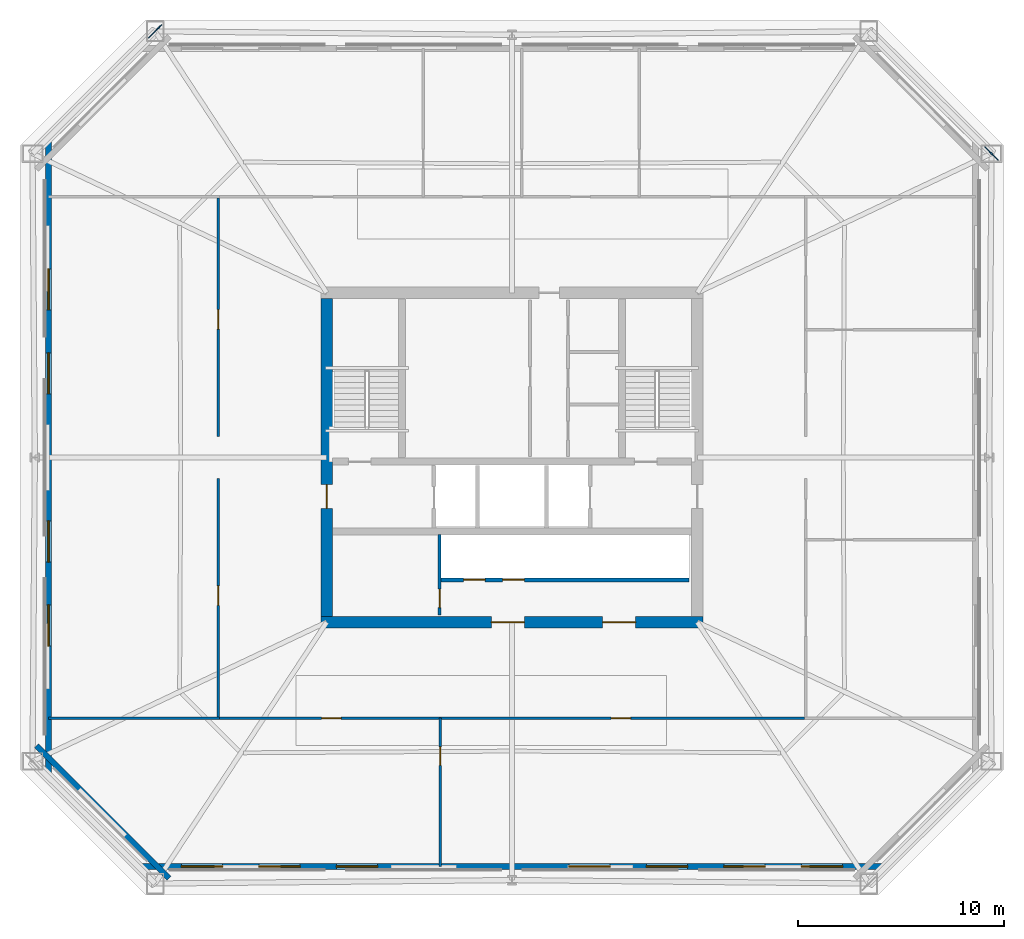
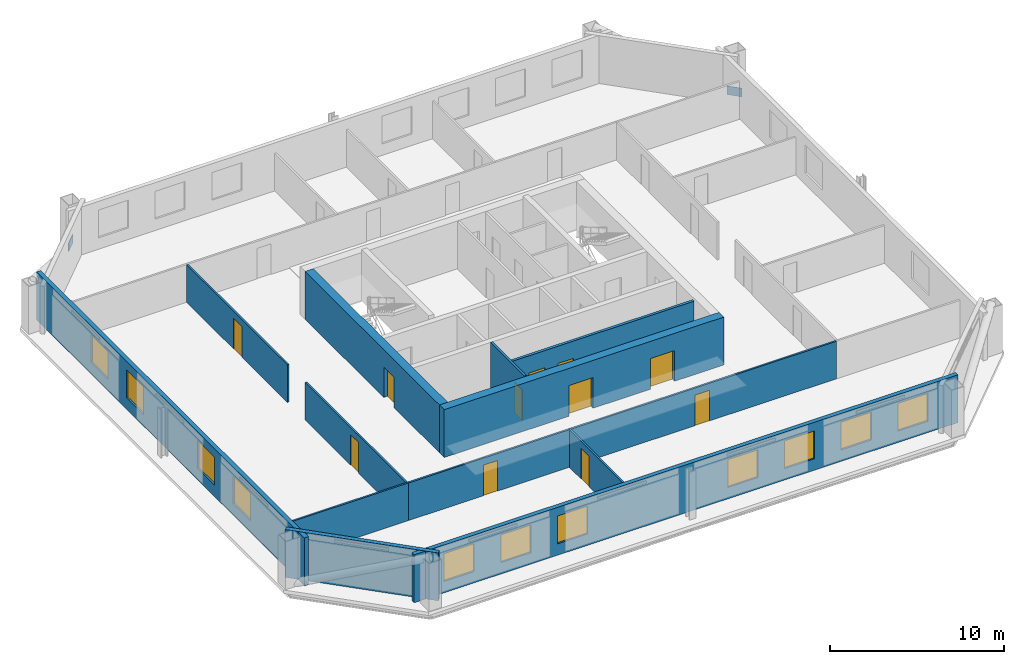
# One storey, part 2 of 6: 12 walls, 11 doors, 11 windows, 2 plates, 22 openings.
"""IFC4 building model written with IfcOpenShell, lengths in metres."""

from ifc_helpers import new_model, si_unit, direction, frame, frame_2d, origin, origin_2d, place, context, subcontext, project, spatial, rectangle, extrude, material, layer, layer_set, type_object, element, fill, save


model = new_model("IFC4")

# Units and contexts
model_context = context("Model", 3, precision=1e-05, world=origin(), true_north=direction((0.0, 1.0)))
body_context = subcontext(model_context, "Body", "Model", "MODEL_VIEW")
ifc_project = project(units=[si_unit("LENGTHUNIT", "METRE"), si_unit("AREAUNIT", "SQUARE_METRE"), si_unit("VOLUMEUNIT", "CUBIC_METRE"), si_unit("PLANEANGLEUNIT", "RADIAN"), si_unit("MASSUNIT", "GRAM", prefix="KILO")], contexts=[model_context])

# Site, building, storey
site_placement = place(None, origin())
site = spatial("IfcSite", under=ifc_project, at=site_placement, CompositionType="ELEMENT")
building_placement = place(site_placement, origin())
building = spatial("IfcBuilding", under=site, at=building_placement, Name="Caelvoria Tower", CompositionType="ELEMENT")
storey_placement = place(building_placement, frame((0.0, 0.0, 131.199951171875)))
storey = spatial("IfcBuildingStorey", under=building, at=storey_placement, Name="L34", CompositionType="ELEMENT", Elevation=131.199951171875)

# Plates
ifc_material_1 = material(Name="Structural Steel ASTM A572 Gr.50", Category="steel")
ifc_layer_1 = layer(ifc_material_1, 0.0400390625, Name="Structural Steel ASTM A572 Gr.50")
ifc_layer_set_1 = layer_set([ifc_layer_1], Name="Megaframe Node Gusset Plate 900x600x40 - Structural Steel ASTM A572 Gr.50")
plate_type = type_object("IfcPlateType", Name="Megaframe Node Gusset Plate 900x600x40", PredefinedType="USERDEFINED", material=ifc_layer_set_1)
for number, where, z_axis, x_axis, name in (
    (1, (69.2919921875, 46.764404296875, 0.02001953125), (0.0, 0.0, 1.0), (-0.708331213824, 0.70588022463, 0.0), "Chamfer Mega Brace Gusset L34 NE"),
    (2, (28.662353515625, 52.697998046875, 0.02001953125), (0.0, 0.0, 1.0), (-0.708331213824, -0.70588022463, 0.0), "Chamfer Mega Brace Gusset L34 NW"),
):
    element("IfcPlate", number, at=place(storey_placement, frame(where, z_axis=z_axis, x_axis=x_axis)), inside=storey, type_object=plate_type, Name=name, ObjectType="GUSSET_PLATE", PredefinedType="USERDEFINED", context=body_context, shape_type="SweptSolid", body=[
        extrude(rectangle(XDim=0.89990234375, YDim=0.0400390625, at=origin_2d()), origin(), (0.0, 0.0, 1.0), 0.60009765625),
    ])

# Wall, opening, door
ifc_material_2 = material(Name="Double Gypsum Board on Steel Stud", Category="steel")
ifc_layer_2 = layer(ifc_material_2, 0.14990234375, Name="Double Gypsum Board on Steel Stud")
ifc_layer_set_2 = layer_set([ifc_layer_2], Name="Core Service Acoustic Partition Wall 150 - Double Gypsum Board on Steel Stud")
wall_type_1 = type_object("IfcWallType", Name="Core Service Acoustic Partition Wall 150", PredefinedType="PARTITIONING", material=ifc_layer_set_2)
wall_1_placement = place(storey_placement, frame((42.47998046875, 24.35009765625, 0.0), z_axis=(0.0, 0.0, 1.0), x_axis=(0.0, 1.0, 0.0)))
wall_1 = element("IfcWall", 3, at=wall_1_placement, inside=storey, type_object=wall_type_1, Name="Interior Partition IW-L34-RECL1E", PredefinedType="PARTITIONING", context=body_context, shape_type="SweptSolid", body=[
    extrude(rectangle(XDim=3.89990234375, YDim=0.14990234375, at=frame_2d((1.949951171875, 0.0))), origin(), (0.0, 0.0, 1.0), 3.360107421875),
])
opening_1_placement = place(wall_1_placement, frame((0.35009765625, 0.0, 0.0)))
opening_1 = element("IfcOpeningElement", 4, at=opening_1_placement, cuts=wall_1, Name="Opening ID-04", PredefinedType="OPENING", context=body_context, shape_type="SweptSolid", body=[
    extrude(rectangle(XDim=0.89990234375, YDim=2.14990234375, at=frame_2d((0.449951171875, 1.074951171875))), frame((0.0, 0.0849609375, 0.0), z_axis=(0.0, -1.0, 0.0), x_axis=(1.0, 0.0, 0.0)), (0.0, 0.0, 1.0), 0.169921875),
])
ifc_material_3 = material(Name="Acoustic Timber Fire Door", Category="wood")
door_type_1 = type_object("IfcDoorType", Name="Fire Door FD30S 900x2150", OperationType="NOTDEFINED", PredefinedType="DOOR", material=ifc_material_3)
door_1_placement = place(opening_1_placement, origin())
door_1 = element("IfcDoor", 5, at=door_1_placement, inside=storey, type_object=door_type_1, Name="Interior Door DR-L34-RECL1", OperationType="SINGLE_SWING_LEFT", OverallHeight=2.14990234375, OverallWidth=0.89990234375, PredefinedType="DOOR", context=body_context, shape_type="SweptSolid", body=[
    extrude(rectangle(XDim=0.89990234375, YDim=2.14990234375, at=frame_2d((0.449951171875, 1.074951171875))), frame((0.0, 0.02490234375, 0.0), z_axis=(0.0, -1.0, 0.0), x_axis=(1.0, 0.0, 0.0)), (0.0, 0.0, 1.0), 0.050048828125),
])
fill(opening_1, door_1)

# Wall, openings, windows
ifc_material_4 = material(Name="Precast Concrete C40/50 with Bronze Cladding", Category="concrete")
ifc_layer_3 = layer(ifc_material_4, 0.280029296875, Name="Precast Concrete C40/50 with Bronze Cladding")
ifc_layer_set_3 = layer_set([ifc_layer_3], Name="Exterior Precast Concrete C40/50 Bronze-Clad Facade Wall 280 - Precast Concrete C40/50 with Bronze Cladding")
wall_type_2 = type_object("IfcWallType", Name="Exterior Precast Concrete C40/50 Bronze-Clad Facade Wall 280", PredefinedType="STANDARD", material=ifc_layer_set_3)
wall_2_placement = place(storey_placement, frame((27.9599609375, 12.1298828125, 0.0), z_axis=(0.0, 0.0, 1.0), x_axis=(1.0, 0.0, 0.0)))
wall_2 = element("IfcWall", 6, at=wall_2_placement, inside=storey, type_object=wall_type_2, Name="Exterior Facade Wall L34-E0", PredefinedType="STANDARD", context=body_context, shape_type="SweptSolid", body=[
    extrude(rectangle(XDim=36.080078125, YDim=0.280029296875, at=frame_2d((18.0400390625, 0.0))), origin(), (0.0, 0.0, 1.0), 3.360107421875),
])
opening_2_placement = place(wall_2_placement, frame((1.982177734375, 0.0, 0.800048828125)))
opening_2 = element("IfcOpeningElement", 7, at=opening_2_placement, cuts=wall_2, Name="Opening WN-01", PredefinedType="OPENING", context=body_context, shape_type="SweptSolid", body=[
    extrude(rectangle(XDim=2.0, YDim=1.949951171875, at=frame_2d((1.0, 0.97509765625))), frame((0.0, 0.14990234375, 0.0), z_axis=(0.0, -1.0, 0.0), x_axis=(1.0, 0.0, 0.0)), (0.0, 0.0, 1.0), 0.300048828125),
])
opening_3_placement = place(wall_2_placement, frame((5.74658203125, 0.0, 0.800048828125)))
opening_3 = element("IfcOpeningElement", 8, at=opening_3_placement, cuts=wall_2, Name="Opening WN-01", PredefinedType="OPENING", context=body_context, shape_type="SweptSolid", body=[
    extrude(rectangle(XDim=2.0, YDim=1.949951171875, at=frame_2d((1.0, 0.97509765625))), frame((0.0, 0.14990234375, 0.0), z_axis=(0.0, -1.0, 0.0), x_axis=(1.0, 0.0, 0.0)), (0.0, 0.0, 1.0), 0.300048828125),
])
opening_4_placement = place(wall_2_placement, frame((9.510986328125, 0.0, 0.800048828125)))
opening_4 = element("IfcOpeningElement", 9, at=opening_4_placement, cuts=wall_2, Name="Opening WN-01", PredefinedType="OPENING", context=body_context, shape_type="SweptSolid", body=[
    extrude(rectangle(XDim=2.0, YDim=1.949951171875, at=frame_2d((1.0, 0.97509765625))), frame((0.0, 0.14990234375, 0.0), z_axis=(0.0, -1.0, 0.0), x_axis=(1.0, 0.0, 0.0)), (0.0, 0.0, 1.0), 0.300048828125),
])
opening_5_placement = place(wall_2_placement, frame((20.804443359375, 0.0, 0.800048828125)))
opening_5 = element("IfcOpeningElement", 10, at=opening_5_placement, cuts=wall_2, Name="Opening WN-01", PredefinedType="OPENING", context=body_context, shape_type="SweptSolid", body=[
    extrude(rectangle(XDim=2.0, YDim=1.949951171875, at=frame_2d((1.0, 0.97509765625))), frame((0.0, 0.14990234375, 0.0), z_axis=(0.0, -1.0, 0.0), x_axis=(1.0, 0.0, 0.0)), (0.0, 0.0, 1.0), 0.300048828125),
])
opening_6_placement = place(wall_2_placement, frame((24.56884765625, 0.0, 0.800048828125)))
opening_6 = element("IfcOpeningElement", 11, at=opening_6_placement, cuts=wall_2, Name="Opening WN-01", PredefinedType="OPENING", context=body_context, shape_type="SweptSolid", body=[
    extrude(rectangle(XDim=2.0, YDim=1.949951171875, at=frame_2d((1.0, 0.97509765625))), frame((0.0, 0.14990234375, 0.0), z_axis=(0.0, -1.0, 0.0), x_axis=(1.0, 0.0, 0.0)), (0.0, 0.0, 1.0), 0.300048828125),
])
opening_7_placement = place(wall_2_placement, frame((28.333251953125, 0.0, 0.800048828125)))
opening_7 = element("IfcOpeningElement", 12, at=opening_7_placement, cuts=wall_2, Name="Opening WN-01", PredefinedType="OPENING", context=body_context, shape_type="SweptSolid", body=[
    extrude(rectangle(XDim=2.0, YDim=1.949951171875, at=frame_2d((1.0, 0.97509765625))), frame((0.0, 0.14990234375, 0.0), z_axis=(0.0, -1.0, 0.0), x_axis=(1.0, 0.0, 0.0)), (0.0, 0.0, 1.0), 0.300048828125),
])
opening_8_placement = place(wall_2_placement, frame((32.097900390625, 0.0, 0.800048828125)))
opening_8 = element("IfcOpeningElement", 13, at=opening_8_placement, cuts=wall_2, Name="Opening WN-01", PredefinedType="OPENING", context=body_context, shape_type="SweptSolid", body=[
    extrude(rectangle(XDim=2.0, YDim=1.949951171875, at=frame_2d((1.0, 0.97509765625))), frame((0.0, 0.14990234375, 0.0), z_axis=(0.0, -1.0, 0.0), x_axis=(1.0, 0.0, 0.0)), (0.0, 0.0, 1.0), 0.300048828125),
])
ifc_material_5 = material(Name="Low-E Tinted Glass in Bronze Aluminium Frame", Category="aluminium")
window_type = type_object("IfcWindowType", Name="Tower Office Vision Window 2000x1950", PartitioningType="SINGLE_PANEL", PredefinedType="WINDOW", material=ifc_material_5)
window_1_placement = place(opening_2_placement, origin())
window_1 = element("IfcWindow", 14, at=window_1_placement, inside=storey, type_object=window_type, Name="Facade Window L34-E0-00", OverallHeight=1.949951171875, OverallWidth=2.0, PartitioningType="SINGLE_PANEL", PredefinedType="WINDOW", context=body_context, shape_type="SweptSolid", body=[
    extrude(rectangle(XDim=2.0, YDim=1.949951171875, at=frame_2d((1.0, 0.97509765625))), frame((0.0, 0.030029296875, 0.0), z_axis=(0.0, -1.0, 0.0), x_axis=(1.0, 0.0, 0.0)), (0.0, 0.0, 1.0), 0.06005859375),
])
fill(opening_2, window_1)
window_2_placement = place(opening_3_placement, origin())
window_2 = element("IfcWindow", 15, at=window_2_placement, inside=storey, type_object=window_type, Name="Facade Window L34-E0-01", OverallHeight=1.949951171875, OverallWidth=2.0, PartitioningType="SINGLE_PANEL", PredefinedType="WINDOW", context=body_context, shape_type="SweptSolid", body=[
    extrude(rectangle(XDim=2.0, YDim=1.949951171875, at=frame_2d((1.0, 0.97509765625))), frame((0.0, 0.030029296875, 0.0), z_axis=(0.0, -1.0, 0.0), x_axis=(1.0, 0.0, 0.0)), (0.0, 0.0, 1.0), 0.06005859375),
])
fill(opening_3, window_2)
window_3_placement = place(opening_4_placement, origin())
window_3 = element("IfcWindow", 16, at=window_3_placement, inside=storey, type_object=window_type, Name="Facade Window L34-E0-02", OverallHeight=1.949951171875, OverallWidth=2.0, PartitioningType="SINGLE_PANEL", PredefinedType="WINDOW", context=body_context, shape_type="SweptSolid", body=[
    extrude(rectangle(XDim=2.0, YDim=1.949951171875, at=frame_2d((1.0, 0.97509765625))), frame((0.0, 0.030029296875, 0.0), z_axis=(0.0, -1.0, 0.0), x_axis=(1.0, 0.0, 0.0)), (0.0, 0.0, 1.0), 0.06005859375),
])
fill(opening_4, window_3)
window_4_placement = place(opening_5_placement, origin())
window_4 = element("IfcWindow", 17, at=window_4_placement, inside=storey, type_object=window_type, Name="Facade Window L34-E0-05", OverallHeight=1.949951171875, OverallWidth=2.0, PartitioningType="SINGLE_PANEL", PredefinedType="WINDOW", context=body_context, shape_type="SweptSolid", body=[
    extrude(rectangle(XDim=2.0, YDim=1.949951171875, at=frame_2d((1.0, 0.97509765625))), frame((0.0, 0.030029296875, 0.0), z_axis=(0.0, -1.0, 0.0), x_axis=(1.0, 0.0, 0.0)), (0.0, 0.0, 1.0), 0.06005859375),
])
fill(opening_5, window_4)
window_5_placement = place(opening_6_placement, origin())
window_5 = element("IfcWindow", 18, at=window_5_placement, inside=storey, type_object=window_type, Name="Facade Window L34-E0-06", OverallHeight=1.949951171875, OverallWidth=2.0, PartitioningType="SINGLE_PANEL", PredefinedType="WINDOW", context=body_context, shape_type="SweptSolid", body=[
    extrude(rectangle(XDim=2.0, YDim=1.949951171875, at=frame_2d((1.0, 0.97509765625))), frame((0.0, 0.030029296875, 0.0), z_axis=(0.0, -1.0, 0.0), x_axis=(1.0, 0.0, 0.0)), (0.0, 0.0, 1.0), 0.06005859375),
])
fill(opening_6, window_5)
window_6_placement = place(opening_7_placement, origin())
window_6 = element("IfcWindow", 19, at=window_6_placement, inside=storey, type_object=window_type, Name="Facade Window L34-E0-07", OverallHeight=1.949951171875, OverallWidth=2.0, PartitioningType="SINGLE_PANEL", PredefinedType="WINDOW", context=body_context, shape_type="SweptSolid", body=[
    extrude(rectangle(XDim=2.0, YDim=1.949951171875, at=frame_2d((1.0, 0.97509765625))), frame((0.0, 0.030029296875, 0.0), z_axis=(0.0, -1.0, 0.0), x_axis=(1.0, 0.0, 0.0)), (0.0, 0.0, 1.0), 0.06005859375),
])
fill(opening_7, window_6)
window_7_placement = place(opening_8_placement, origin())
window_7 = element("IfcWindow", 20, at=window_7_placement, inside=storey, type_object=window_type, Name="Facade Window L34-E0-08", OverallHeight=1.949951171875, OverallWidth=2.0, PartitioningType="SINGLE_PANEL", PredefinedType="WINDOW", context=body_context, shape_type="SweptSolid", body=[
    extrude(rectangle(XDim=2.0, YDim=1.949951171875, at=frame_2d((1.0, 0.97509765625))), frame((0.0, 0.030029296875, 0.0), z_axis=(0.0, -1.0, 0.0), x_axis=(1.0, 0.0, 0.0)), (0.0, 0.0, 1.0), 0.06005859375),
])
fill(opening_8, window_7)

wall_3_placement = place(storey_placement, frame((23.47998046875, 47.389892578125, 0.0), z_axis=(0.0, 0.0, 1.0), x_axis=(0.0, -1.0, 0.0)))
wall_3 = element("IfcWall", 21, at=wall_3_placement, inside=storey, type_object=wall_type_2, Name="Exterior Facade Wall L34-E6", PredefinedType="STANDARD", context=body_context, shape_type="SweptSolid", body=[
    extrude(rectangle(XDim=30.77978515625, YDim=0.280029296875, at=frame_2d((15.389892578125, 0.0))), origin(), (0.0, 0.0, 1.0), 3.360107421875),
])
opening_9_placement = place(wall_3_placement, frame((6.224365234375, 0.0, 0.800048828125)))
opening_9 = element("IfcOpeningElement", 22, at=opening_9_placement, cuts=wall_3, Name="Opening WN-01", PredefinedType="OPENING", context=body_context, shape_type="SweptSolid", body=[
    extrude(rectangle(XDim=2.0, YDim=1.949951171875, at=frame_2d((1.0, 0.97509765625))), frame((0.0, 0.14990234375, 0.0), z_axis=(0.0, -1.0, 0.0), x_axis=(1.0, 0.0, 0.0)), (0.0, 0.0, 1.0), 0.300048828125),
])
opening_10_placement = place(wall_3_placement, frame((10.30712890625, 0.0, 0.800048828125)))
opening_10 = element("IfcOpeningElement", 23, at=opening_10_placement, cuts=wall_3, Name="Opening WN-01", PredefinedType="OPENING", context=body_context, shape_type="SweptSolid", body=[
    extrude(rectangle(XDim=2.0, YDim=1.949951171875, at=frame_2d((1.0, 0.97509765625))), frame((0.0, 0.14990234375, 0.0), z_axis=(0.0, -1.0, 0.0), x_axis=(1.0, 0.0, 0.0)), (0.0, 0.0, 1.0), 0.300048828125),
])
opening_11_placement = place(wall_3_placement, frame((18.472900390625, 0.0, 0.800048828125)))
opening_11 = element("IfcOpeningElement", 24, at=opening_11_placement, cuts=wall_3, Name="Opening WN-01", PredefinedType="OPENING", context=body_context, shape_type="SweptSolid", body=[
    extrude(rectangle(XDim=2.0, YDim=1.949951171875, at=frame_2d((1.0, 0.97509765625))), frame((0.0, 0.14990234375, 0.0), z_axis=(0.0, -1.0, 0.0), x_axis=(1.0, 0.0, 0.0)), (0.0, 0.0, 1.0), 0.300048828125),
])
opening_12_placement = place(wall_3_placement, frame((22.5556640625, 0.0, 0.800048828125)))
opening_12 = element("IfcOpeningElement", 25, at=opening_12_placement, cuts=wall_3, Name="Opening WN-01", PredefinedType="OPENING", context=body_context, shape_type="SweptSolid", body=[
    extrude(rectangle(XDim=2.0, YDim=1.949951171875, at=frame_2d((1.0, 0.97509765625))), frame((0.0, 0.14990234375, 0.0), z_axis=(0.0, -1.0, 0.0), x_axis=(1.0, 0.0, 0.0)), (0.0, 0.0, 1.0), 0.300048828125),
])
window_8_placement = place(opening_9_placement, origin())
window_8 = element("IfcWindow", 26, at=window_8_placement, inside=storey, type_object=window_type, Name="Facade Window L34-E6-01", OverallHeight=1.949951171875, OverallWidth=2.0, PartitioningType="SINGLE_PANEL", PredefinedType="WINDOW", context=body_context, shape_type="SweptSolid", body=[
    extrude(rectangle(XDim=2.0, YDim=1.949951171875, at=frame_2d((1.0, 0.97509765625))), frame((0.0, 0.030029296875, 0.0), z_axis=(0.0, -1.0, 0.0), x_axis=(1.0, 0.0, 0.0)), (0.0, 0.0, 1.0), 0.06005859375),
])
fill(opening_9, window_8)
window_9_placement = place(opening_10_placement, origin())
window_9 = element("IfcWindow", 27, at=window_9_placement, inside=storey, type_object=window_type, Name="Facade Window L34-E6-02", OverallHeight=1.949951171875, OverallWidth=2.0, PartitioningType="SINGLE_PANEL", PredefinedType="WINDOW", context=body_context, shape_type="SweptSolid", body=[
    extrude(rectangle(XDim=2.0, YDim=1.949951171875, at=frame_2d((1.0, 0.97509765625))), frame((0.0, 0.030029296875, 0.0), z_axis=(0.0, -1.0, 0.0), x_axis=(1.0, 0.0, 0.0)), (0.0, 0.0, 1.0), 0.06005859375),
])
fill(opening_10, window_9)
window_10_placement = place(opening_11_placement, origin())
window_10 = element("IfcWindow", 28, at=window_10_placement, inside=storey, type_object=window_type, Name="Facade Window L34-E6-04", OverallHeight=1.949951171875, OverallWidth=2.0, PartitioningType="SINGLE_PANEL", PredefinedType="WINDOW", context=body_context, shape_type="SweptSolid", body=[
    extrude(rectangle(XDim=2.0, YDim=1.949951171875, at=frame_2d((1.0, 0.97509765625))), frame((0.0, 0.030029296875, 0.0), z_axis=(0.0, -1.0, 0.0), x_axis=(1.0, 0.0, 0.0)), (0.0, 0.0, 1.0), 0.06005859375),
])
fill(opening_11, window_10)
window_11_placement = place(opening_12_placement, origin())
window_11 = element("IfcWindow", 29, at=window_11_placement, inside=storey, type_object=window_type, Name="Facade Window L34-E6-05", OverallHeight=1.949951171875, OverallWidth=2.0, PartitioningType="SINGLE_PANEL", PredefinedType="WINDOW", context=body_context, shape_type="SweptSolid", body=[
    extrude(rectangle(XDim=2.0, YDim=1.949951171875, at=frame_2d((1.0, 0.97509765625))), frame((0.0, 0.030029296875, 0.0), z_axis=(0.0, -1.0, 0.0), x_axis=(1.0, 0.0, 0.0)), (0.0, 0.0, 1.0), 0.06005859375),
])
fill(opening_12, window_11)

# Wall
wall_4_placement = place(storey_placement, frame((22.906005859375, 17.99560546875, 0.0), z_axis=(0.0, 0.0, 1.0), x_axis=(0.707106781187, -0.707106781187, 0.0)))
element("IfcWall", 30, at=wall_4_placement, inside=storey, type_object=wall_type_2, Name="Exterior Facade Wall L34-E7", PredefinedType="STANDARD", context=body_context, shape_type="SweptSolid", body=[
    extrude(rectangle(XDim=9.106689453125, YDim=0.280029296875, at=frame_2d((4.55322265625, 0.0))), origin(), (0.0, 0.0, 1.0), 3.360107421875),
])

# Wall, openings, doors
ifc_material_6 = material(Name="Concrete Block and Fireboard Assembly", Category="concrete")
ifc_layer_4 = layer(ifc_material_6, 0.179931640625, Name="Concrete Block and Fireboard Assembly")
ifc_layer_set_4 = layer_set([ifc_layer_4], Name="Fire-Rated Hoistway Partition Wall 180 - Concrete Block and Fireboard Assembly")
wall_type_3 = type_object("IfcWallType", Name="Fire-Rated Hoistway Partition Wall 180", PredefinedType="PARTITIONING", material=ifc_layer_set_4)
wall_5_placement = place(storey_placement, frame((42.550048828125, 26.050048828125, 0.0), z_axis=(0.0, 0.0, 1.0), x_axis=(1.0, 0.0, 0.0)))
wall_5 = element("IfcWall", 31, at=wall_5_placement, inside=storey, type_object=wall_type_3, Name="Interior Partition IW-L34-LFRONT", PredefinedType="PARTITIONING", context=body_context, shape_type="SweptSolid", body=[
    extrude(rectangle(XDim=12.050048828125, YDim=0.179931640625, at=frame_2d((6.02490234375, 0.0))), origin(), (0.0, 0.0, 1.0), 3.360107421875),
])
opening_13_placement = place(wall_5_placement, frame((1.10009765625, 0.0, 0.0)))
opening_13 = element("IfcOpeningElement", 32, at=opening_13_placement, cuts=wall_5, Name="Opening LD-01", PredefinedType="OPENING", context=body_context, shape_type="SweptSolid", body=[
    extrude(rectangle(XDim=1.050048828125, YDim=2.14990234375, at=frame_2d((0.52490234375, 1.074951171875))), frame((0.0, 0.099853515625, 0.0), z_axis=(0.0, -1.0, 0.0), x_axis=(1.0, 0.0, 0.0)), (0.0, 0.0, 1.0), 0.199951171875),
])
opening_14_placement = place(wall_5_placement, frame((3.0, 0.0, 0.0)))
opening_14 = element("IfcOpeningElement", 33, at=opening_14_placement, cuts=wall_5, Name="Opening LD-01", PredefinedType="OPENING", context=body_context, shape_type="SweptSolid", body=[
    extrude(rectangle(XDim=1.050048828125, YDim=2.14990234375, at=frame_2d((0.52490234375, 1.074951171875))), frame((0.0, 0.099853515625, 0.0), z_axis=(0.0, -1.0, 0.0), x_axis=(1.0, 0.0, 0.0)), (0.0, 0.0, 1.0), 0.199951171875),
])
ifc_material_7 = material(Name="Brushed Bronze Stainless Sliding Landing Door", Category="aluminium")
door_type_2 = type_object("IfcDoorType", Name="Lift Landing Sliding Door 1100x2150", OperationType="NOTDEFINED", PredefinedType="DOOR", material=ifc_material_7)
door_2_placement = place(opening_13_placement, origin())
door_2 = element("IfcDoor", 34, at=door_2_placement, inside=storey, type_object=door_type_2, Name="Interior Door LD-L34-PM1", OperationType="SLIDING_TO_LEFT", OverallHeight=2.14990234375, OverallWidth=1.050048828125, PredefinedType="DOOR", context=body_context, shape_type="SweptSolid", body=[
    extrude(rectangle(XDim=1.050048828125, YDim=2.14990234375, at=frame_2d((0.52490234375, 1.074951171875))), frame((0.0, 0.02490234375, 0.0), z_axis=(0.0, -1.0, 0.0), x_axis=(1.0, 0.0, 0.0)), (0.0, 0.0, 1.0), 0.050048828125),
])
fill(opening_13, door_2)
door_3_placement = place(opening_14_placement, origin())
door_3 = element("IfcDoor", 35, at=door_3_placement, inside=storey, type_object=door_type_2, Name="Interior Door LD-L34-PM2", OperationType="SLIDING_TO_RIGHT", OverallHeight=2.14990234375, OverallWidth=1.050048828125, PredefinedType="DOOR", context=body_context, shape_type="SweptSolid", body=[
    extrude(rectangle(XDim=1.050048828125, YDim=2.14990234375, at=frame_2d((0.52490234375, 1.074951171875))), frame((0.0, 0.02490234375, 0.0), z_axis=(0.0, -1.0, 0.0), x_axis=(1.0, 0.0, 0.0)), (0.0, 0.0, 1.0), 0.050048828125),
])
fill(opening_14, door_3)

ifc_material_8 = material(Name="Concrete C55/67", Category="concrete")
ifc_layer_5 = layer(ifc_material_8, 0.550048828125, Name="Concrete C55/67")
ifc_layer_set_5 = layer_set([ifc_layer_5], Name="Mid Core Shear Wall 550 - Concrete C55/67")
wall_type_4 = type_object("IfcWallType", Name="Mid Core Shear Wall 550", PredefinedType="SHEAR", material=ifc_layer_set_5)
wall_6_placement = place(storey_placement, frame((36.72509765625, 24.0, 0.0), z_axis=(0.0, 0.0, 1.0), x_axis=(1.0, 0.0, 0.0)))
wall_6 = element("IfcWall", 36, at=wall_6_placement, inside=storey, type_object=wall_type_4, Name="Core Shear Wall L34 S", PredefinedType="SHEAR", context=body_context, shape_type="SweptSolid", body=[
    extrude(rectangle(XDim=18.5498046875, YDim=0.550048828125, at=frame_2d((9.27490234375, 0.0))), origin(), (0.0, 0.0, 1.0), 3.360107421875),
])
opening_15_placement = place(wall_6_placement, frame((8.27490234375, 0.0, 0.0)))
opening_15 = element("IfcOpeningElement", 37, at=opening_15_placement, cuts=wall_6, Name="Opening ID-08", PredefinedType="OPENING", context=body_context, shape_type="SweptSolid", body=[
    extrude(rectangle(XDim=1.60009765625, YDim=2.14990234375, at=frame_2d((0.800048828125, 1.074951171875))), frame((0.0, 0.284912109375, 0.0), z_axis=(0.0, -1.0, 0.0), x_axis=(1.0, 0.0, 0.0)), (0.0, 0.0, 1.0), 0.570068359375),
])
opening_16_placement = place(wall_6_placement, frame((13.675048828125, 0.0, 0.0)))
opening_16 = element("IfcOpeningElement", 38, at=opening_16_placement, cuts=wall_6, Name="Opening ID-08", PredefinedType="OPENING", context=body_context, shape_type="SweptSolid", body=[
    extrude(rectangle(XDim=1.60009765625, YDim=2.14990234375, at=frame_2d((0.800048828125, 1.074951171875))), frame((0.0, 0.284912109375, 0.0), z_axis=(0.0, -1.0, 0.0), x_axis=(1.0, 0.0, 0.0)), (0.0, 0.0, 1.0), 0.570068359375),
])
ifc_material_9 = material(Name="Bronze-Framed Fire-Rated Glazed Double Door", Category="aluminium")
door_type_3 = type_object("IfcDoorType", Name="Double Lobby Glazed Door 1600x2200", OperationType="NOTDEFINED", PredefinedType="DOOR", material=ifc_material_9)
door_4_placement = place(opening_15_placement, origin())
door_4 = element("IfcDoor", 39, at=door_4_placement, inside=storey, type_object=door_type_3, Name="Core Door DR-L34-LLOB-S1", OperationType="DOUBLE_DOOR_SINGLE_SWING", OverallHeight=2.14990234375, OverallWidth=1.60009765625, PredefinedType="DOOR", context=body_context, shape_type="SweptSolid", body=[
    extrude(rectangle(XDim=1.60009765625, YDim=2.14990234375, at=frame_2d((0.800048828125, 1.074951171875))), frame((0.0, 0.02490234375, 0.0), z_axis=(0.0, -1.0, 0.0), x_axis=(1.0, 0.0, 0.0)), (0.0, 0.0, 1.0), 0.050048828125),
])
fill(opening_15, door_4)
door_5_placement = place(opening_16_placement, origin())
door_5 = element("IfcDoor", 40, at=door_5_placement, inside=storey, type_object=door_type_3, Name="Core Door DR-L34-LLOB-S2", OperationType="DOUBLE_DOOR_SINGLE_SWING", OverallHeight=2.14990234375, OverallWidth=1.60009765625, PredefinedType="DOOR", context=body_context, shape_type="SweptSolid", body=[
    extrude(rectangle(XDim=1.60009765625, YDim=2.14990234375, at=frame_2d((0.800048828125, 1.074951171875))), frame((0.0, 0.02490234375, 0.0), z_axis=(0.0, -1.0, 0.0), x_axis=(1.0, 0.0, 0.0)), (0.0, 0.0, 1.0), 0.050048828125),
])
fill(opening_16, door_5)

# Wall, opening, door
wall_7_placement = place(storey_placement, frame((37.0, 24.27490234375, 0.0), z_axis=(0.0, 0.0, 1.0), x_axis=(0.0, 1.0, 0.0)))
wall_7 = element("IfcWall", 41, at=wall_7_placement, inside=storey, type_object=wall_type_4, Name="Core Shear Wall L34 W", PredefinedType="SHEAR", context=body_context, shape_type="SweptSolid", body=[
    extrude(rectangle(XDim=15.4501953125, YDim=0.550048828125, at=frame_2d((7.72509765625, 0.0))), origin(), (0.0, 0.0, 1.0), 3.360107421875),
])
opening_17_placement = place(wall_7_placement, frame((5.25, 0.0, 0.0)))
opening_17 = element("IfcOpeningElement", 42, at=opening_17_placement, cuts=wall_7, Name="Opening ID-02", PredefinedType="OPENING", context=body_context, shape_type="SweptSolid", body=[
    extrude(rectangle(XDim=1.14990234375, YDim=2.14990234375, at=frame_2d((0.574951171875, 1.074951171875))), frame((0.0, 0.284912109375, 0.0), z_axis=(0.0, -1.0, 0.0), x_axis=(1.0, 0.0, 0.0)), (0.0, 0.0, 1.0), 0.570068359375),
])
ifc_material_10 = material(Name="Painted Hollow Steel Fire Door", Category="steel")
door_type_4 = type_object("IfcDoorType", Name="Fire Door FD60S 1150x2150", OperationType="NOTDEFINED", PredefinedType="DOOR", material=ifc_material_10)
door_6_placement = place(opening_17_placement, origin())
door_6 = element("IfcDoor", 43, at=door_6_placement, inside=storey, type_object=door_type_4, Name="Core Door DR-L34-FFLW-OUT", OperationType="SINGLE_SWING_LEFT", OverallHeight=2.14990234375, OverallWidth=1.14990234375, PredefinedType="DOOR", context=body_context, shape_type="SweptSolid", body=[
    extrude(rectangle(XDim=1.14990234375, YDim=2.14990234375, at=frame_2d((0.574951171875, 1.074951171875))), frame((0.0, 0.02490234375, 0.0), z_axis=(0.0, -1.0, 0.0), x_axis=(1.0, 0.0, 0.0)), (0.0, 0.0, 1.0), 0.050048828125),
])
fill(opening_17, door_6)

ifc_material_11 = material(Name="Acoustic Gypsum Board on Light-Gauge Stud", Category="gypsum")
ifc_layer_6 = layer(ifc_material_11, 0.1201171875, Name="Acoustic Gypsum Board on Light-Gauge Stud")
ifc_layer_set_6 = layer_set([ifc_layer_6], Name="Tenant Suite Acoustic Partition Wall 120 - Acoustic Gypsum Board on Light-Gauge Stud")
wall_type_5 = type_object("IfcWallType", Name="Tenant Suite Acoustic Partition Wall 120", PredefinedType="PARTITIONING", material=ifc_layer_set_6)
wall_8_placement = place(storey_placement, frame((42.52001953125, 19.340087890625, 0.0), z_axis=(0.0, 0.0, 1.0), x_axis=(0.0, -1.0, 0.0)))
wall_8 = element("IfcWall", 44, at=wall_8_placement, inside=storey, type_object=wall_type_5, Name="Interior Partition IW-L34-SD-00-0", PredefinedType="PARTITIONING", context=body_context, shape_type="SweptSolid", body=[
    extrude(rectangle(XDim=7.210205078125, YDim=0.1201171875, at=frame_2d((3.60498046875, 0.0))), origin(), (0.0, 0.0, 1.0), 2.64013671875),
])
opening_18_placement = place(wall_8_placement, frame((1.39990234375, 0.0, 0.0)))
opening_18 = element("IfcOpeningElement", 45, at=opening_18_placement, cuts=wall_8, Name="Opening ID-06", PredefinedType="OPENING", context=body_context, shape_type="SweptSolid", body=[
    extrude(rectangle(XDim=0.89990234375, YDim=2.14990234375, at=frame_2d((0.449951171875, 1.074951171875))), frame((0.0, 0.070068359375, 0.0), z_axis=(0.0, -1.0, 0.0), x_axis=(1.0, 0.0, 0.0)), (0.0, 0.0, 1.0), 0.14013671875),
])
ifc_material_12 = material(Name="Engineered Andean Oak Veneer Door", Category="wood")
door_type_5 = type_object("IfcDoorType", Name="Interior Timber Door 900x2150", OperationType="NOTDEFINED", PredefinedType="DOOR", material=ifc_material_12)
door_7_placement = place(opening_18_placement, origin())
door_7 = element("IfcDoor", 46, at=door_7_placement, inside=storey, type_object=door_type_5, Name="Interior Door DR-L34-SM-00-0", OperationType="SINGLE_SWING_RIGHT", OverallHeight=2.14990234375, OverallWidth=0.89990234375, PredefinedType="DOOR", context=body_context, shape_type="SweptSolid", body=[
    extrude(rectangle(XDim=0.89990234375, YDim=2.14990234375, at=frame_2d((0.449951171875, 1.074951171875))), frame((0.0, 0.02490234375, 0.0), z_axis=(0.0, -1.0, 0.0), x_axis=(1.0, 0.0, 0.0)), (0.0, 0.0, 1.0), 0.050048828125),
])
fill(opening_18, door_7)

# Wall, openings, doors
wall_9_placement = place(storey_placement, frame((31.800048828125, 19.340087890625, 0.0), z_axis=(0.0, 0.0, 1.0), x_axis=(1.0, 0.0, 0.0)))
wall_9 = element("IfcWall", 47, at=wall_9_placement, inside=storey, type_object=wall_type_5, Name="Interior Partition IW-L34-SCW-0", PredefinedType="PARTITIONING", context=body_context, shape_type="SweptSolid", body=[
    extrude(rectangle(XDim=28.39990234375, YDim=0.1201171875, at=frame_2d((14.199951171875, 0.0))), origin(), (0.0, 0.0, 1.0), 2.64013671875),
])
opening_19_placement = place(wall_9_placement, frame((4.955078125, 0.0, 0.0)))
opening_19 = element("IfcOpeningElement", 48, at=opening_19_placement, cuts=wall_9, Name="Opening ID-05", PredefinedType="OPENING", context=body_context, shape_type="SweptSolid", body=[
    extrude(rectangle(XDim=0.949951171875, YDim=2.14990234375, at=frame_2d((0.47509765625, 1.074951171875))), frame((0.0, 0.070068359375, 0.0), z_axis=(0.0, -1.0, 0.0), x_axis=(1.0, 0.0, 0.0)), (0.0, 0.0, 1.0), 0.14013671875),
])
opening_20_placement = place(wall_9_placement, frame((19.014892578125, 0.0, 0.0)))
opening_20 = element("IfcOpeningElement", 49, at=opening_20_placement, cuts=wall_9, Name="Opening ID-05", PredefinedType="OPENING", context=body_context, shape_type="SweptSolid", body=[
    extrude(rectangle(XDim=0.949951171875, YDim=2.14990234375, at=frame_2d((0.47509765625, 1.074951171875))), frame((0.0, 0.070068359375, 0.0), z_axis=(0.0, -1.0, 0.0), x_axis=(1.0, 0.0, 0.0)), (0.0, 0.0, 1.0), 0.14013671875),
])
door_type_6 = type_object("IfcDoorType", Name="Interior Timber Door 950x2150", OperationType="NOTDEFINED", PredefinedType="DOOR", material=ifc_material_12)
door_8_placement = place(opening_19_placement, origin())
door_8 = element("IfcDoor", 50, at=door_8_placement, inside=storey, type_object=door_type_6, Name="Interior Door DR-L34-SC-00-0", OperationType="SINGLE_SWING_LEFT", OverallHeight=2.14990234375, OverallWidth=0.949951171875, PredefinedType="DOOR", context=body_context, shape_type="SweptSolid", body=[
    extrude(rectangle(XDim=0.949951171875, YDim=2.14990234375, at=frame_2d((0.47509765625, 1.074951171875))), frame((0.0, 0.02490234375, 0.0), z_axis=(0.0, -1.0, 0.0), x_axis=(1.0, 0.0, 0.0)), (0.0, 0.0, 1.0), 0.050048828125),
])
fill(opening_19, door_8)
door_9_placement = place(opening_20_placement, origin())
door_9 = element("IfcDoor", 51, at=door_9_placement, inside=storey, type_object=door_type_6, Name="Interior Door DR-L34-SC-01-0", OperationType="SINGLE_SWING_RIGHT", OverallHeight=2.14990234375, OverallWidth=0.949951171875, PredefinedType="DOOR", context=body_context, shape_type="SweptSolid", body=[
    extrude(rectangle(XDim=0.949951171875, YDim=2.14990234375, at=frame_2d((0.47509765625, 1.074951171875))), frame((0.0, 0.02490234375, 0.0), z_axis=(0.0, -1.0, 0.0), x_axis=(1.0, 0.0, 0.0)), (0.0, 0.0, 1.0), 0.050048828125),
])
fill(opening_20, door_9)

# Wall, opening, door
wall_10_placement = place(storey_placement, frame((31.739990234375, 19.39990234375, 0.0), z_axis=(0.0, 0.0, 1.0), x_axis=(0.0, 1.0, 0.0)))
wall_10 = element("IfcWall", 52, at=wall_10_placement, inside=storey, type_object=wall_type_5, Name="Interior Partition IW-L34-WCW-0", PredefinedType="PARTITIONING", context=body_context, shape_type="SweptSolid", body=[
    extrude(rectangle(XDim=11.580078125, YDim=0.1201171875, at=frame_2d((5.7900390625, 0.0))), origin(), (0.0, 0.0, 1.0), 2.64013671875),
])
opening_21_placement = place(wall_10_placement, frame((5.4150390625, 0.0, 0.0)))
opening_21 = element("IfcOpeningElement", 53, at=opening_21_placement, cuts=wall_10, Name="Opening ID-05", PredefinedType="OPENING", context=body_context, shape_type="SweptSolid", body=[
    extrude(rectangle(XDim=0.949951171875, YDim=2.14990234375, at=frame_2d((0.47509765625, 1.074951171875))), frame((0.0, 0.070068359375, 0.0), z_axis=(0.0, -1.0, 0.0), x_axis=(1.0, 0.0, 0.0)), (0.0, 0.0, 1.0), 0.14013671875),
])
door_10_placement = place(opening_21_placement, origin())
door_10 = element("IfcDoor", 54, at=door_10_placement, inside=storey, type_object=door_type_6, Name="Interior Door DR-L34-WC-00-1", OperationType="SINGLE_SWING_RIGHT", OverallHeight=2.14990234375, OverallWidth=0.949951171875, PredefinedType="DOOR", context=body_context, shape_type="SweptSolid", body=[
    extrude(rectangle(XDim=0.949951171875, YDim=2.14990234375, at=frame_2d((0.47509765625, 1.074951171875))), frame((0.0, 0.02490234375, 0.0), z_axis=(0.0, -1.0, 0.0), x_axis=(1.0, 0.0, 0.0)), (0.0, 0.0, 1.0), 0.050048828125),
])
fill(opening_21, door_10)

wall_11_placement = place(storey_placement, frame((31.739990234375, 33.02001953125, 0.0), z_axis=(0.0, 0.0, 1.0), x_axis=(0.0, 1.0, 0.0)))
wall_11 = element("IfcWall", 55, at=wall_11_placement, inside=storey, type_object=wall_type_5, Name="Interior Partition IW-L34-WCW-1", PredefinedType="PARTITIONING", context=body_context, shape_type="SweptSolid", body=[
    extrude(rectangle(XDim=11.580078125, YDim=0.1201171875, at=frame_2d((5.7900390625, 0.0))), origin(), (0.0, 0.0, 1.0), 2.64013671875),
])
opening_22_placement = place(wall_11_placement, frame((5.215087890625, 0.0, 0.0)))
opening_22 = element("IfcOpeningElement", 56, at=opening_22_placement, cuts=wall_11, Name="Opening ID-05", PredefinedType="OPENING", context=body_context, shape_type="SweptSolid", body=[
    extrude(rectangle(XDim=0.949951171875, YDim=2.14990234375, at=frame_2d((0.47509765625, 1.074951171875))), frame((0.0, 0.070068359375, 0.0), z_axis=(0.0, -1.0, 0.0), x_axis=(1.0, 0.0, 0.0)), (0.0, 0.0, 1.0), 0.14013671875),
])
door_11_placement = place(opening_22_placement, origin())
door_11 = element("IfcDoor", 57, at=door_11_placement, inside=storey, type_object=door_type_6, Name="Interior Door DR-L34-WC-00-0", OperationType="SINGLE_SWING_LEFT", OverallHeight=2.14990234375, OverallWidth=0.949951171875, PredefinedType="DOOR", context=body_context, shape_type="SweptSolid", body=[
    extrude(rectangle(XDim=0.949951171875, YDim=2.14990234375, at=frame_2d((0.47509765625, 1.074951171875))), frame((0.0, 0.02490234375, 0.0), z_axis=(0.0, -1.0, 0.0), x_axis=(1.0, 0.0, 0.0)), (0.0, 0.0, 1.0), 0.050048828125),
])
fill(opening_22, door_11)

# Wall
wall_12_placement = place(storey_placement, frame((31.800048828125, 19.340087890625, 0.0), z_axis=(0.0, 0.0, 1.0), x_axis=(-1.0, 0.0, 0.0)))
element("IfcWall", 58, at=wall_12_placement, inside=storey, type_object=wall_type_5, Name="Interior Partition IW-L34-BSW-0", PredefinedType="PARTITIONING", context=body_context, shape_type="SweptSolid", body=[
    extrude(rectangle(XDim=8.320068359375, YDim=0.1201171875, at=frame_2d((4.16015625, 0.0))), origin(), (0.0, 0.0, 1.0), 2.64013671875),
])

save(model, "model.ifc")
